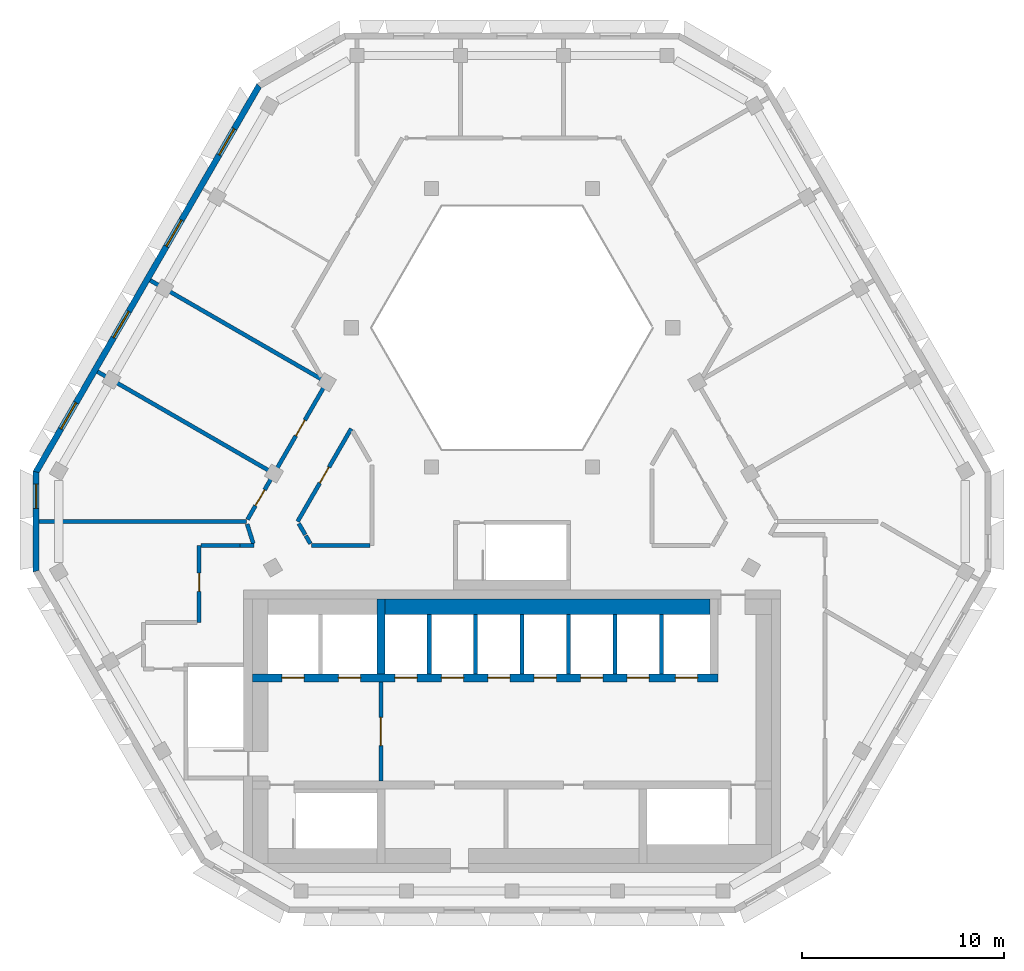
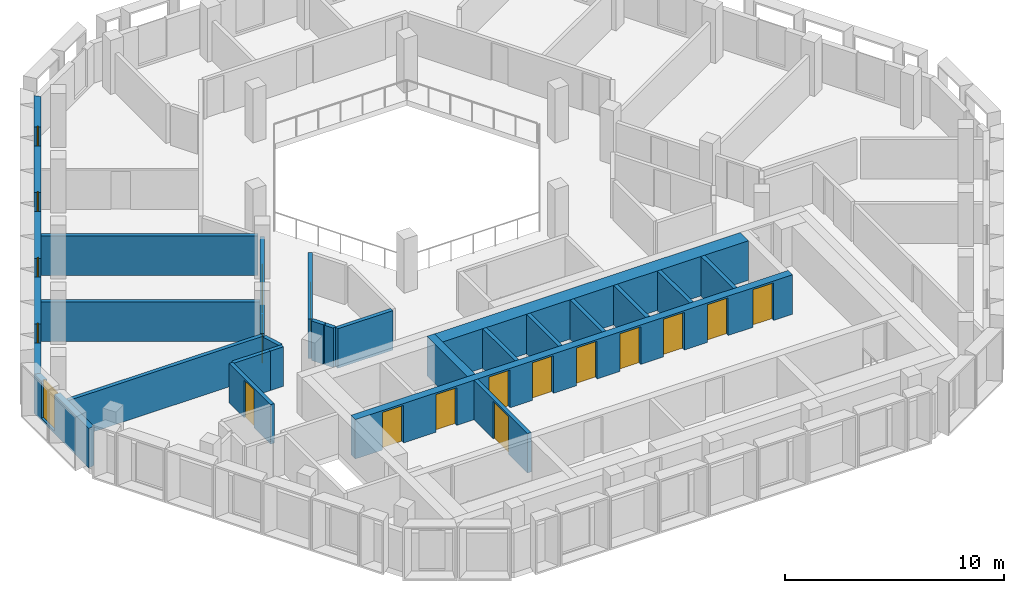
# One storey, part 3 of 7: 24 walls, 14 doors, 5 windows, 19 openings.
"""IFC4 building model written with IfcOpenShell, lengths in metres."""

from ifc_helpers import new_model, si_unit, direction, frame, frame_2d, origin, place, context, subcontext, project, spatial, polyline, rectangle, outline, extrude, material, layer, layer_set, type_object, element, fill, save


model = new_model("IFC4")

# Units and contexts
model_context = context("Model", 3, precision=1e-05, world=origin(), true_north=direction((0.0, 1.0)))
body_context = subcontext(model_context, "Body", "Model", "MODEL_VIEW")
ifc_project = project(units=[si_unit("LENGTHUNIT", "METRE"), si_unit("AREAUNIT", "SQUARE_METRE"), si_unit("VOLUMEUNIT", "CUBIC_METRE"), si_unit("PLANEANGLEUNIT", "RADIAN"), si_unit("MASSUNIT", "GRAM", prefix="KILO")], contexts=[model_context])

# Site, building, storey
site_placement = place(None, origin())
site = spatial("IfcSite", under=ifc_project, at=site_placement, CompositionType="ELEMENT")
building_placement = place(site_placement, origin())
building = spatial("IfcBuilding", under=site, at=building_placement, Name="Beryl Residences", CompositionType="ELEMENT")
storey_placement = place(building_placement, frame((0.0, 0.0, 241.800048828125)))
storey = spatial("IfcBuildingStorey", under=building, at=storey_placement, Name="L75", CompositionType="ELEMENT", Elevation=241.800048828125)

# Wall, openings, windows
ifc_material_1 = material(Name="Composite metal panel with mineral wool insulation")
ifc_layer_1 = layer(ifc_material_1, 0.300048828125)
ifc_layer_set_1 = layer_set([ifc_layer_1], Name="ES1 pale metal composite panel wall 300 mm")
wall_type_1 = type_object("IfcWallType", Name="ES1 pale metal composite panel wall 300 mm", PredefinedType="SOLIDWALL", material=ifc_layer_set_1)
wall_1_placement = place(storey_placement, frame((-12.513916015625, 20.02490234375, 0.0), z_axis=(0.0, 0.0, 1.0), x_axis=(-0.500003656944, -0.866023292436, 0.0)))
wall_1 = element("IfcWall", 1, at=wall_1_placement, inside=storey, type_object=wall_type_1, Name="ES1 external wall L75 NW", PredefinedType="SOLIDWALL", context=body_context, shape_type="SweptSolid", body=[
    extrude(outline(polyline([(0.0, -0.14990234375), (22.170166015625, -0.14990234375), (22.08984375, 0.14990234375), (0.080322265625, 0.14990234375), (0.0, -0.14990234375)])), origin(), (0.0, 0.0, 1.0), 2.199951171875),
])
opening_1_placement = place(wall_1_placement, frame((2.4970703125, 0.0, 0.14990234375)))
opening_1 = element("IfcOpeningElement", 2, at=opening_1_placement, cuts=wall_1, Name="Opening W1", PredefinedType="OPENING", context=body_context, shape_type="SweptSolid", body=[
    extrude(rectangle(XDim=1.5, YDim=2.10009765625, at=frame_2d((0.75, 1.050048828125))), frame((0.0, 0.159912109375, 0.0), z_axis=(0.0, -1.0, 0.0), x_axis=(1.0, 0.0, 0.0)), (0.0, 0.0, 1.0), 0.320068359375),
])
opening_2_placement = place(wall_1_placement, frame((7.721923828125, 0.0, 0.14990234375)))
opening_2 = element("IfcOpeningElement", 3, at=opening_2_placement, cuts=wall_1, Name="Opening W1", PredefinedType="OPENING", context=body_context, shape_type="SweptSolid", body=[
    extrude(rectangle(XDim=1.5, YDim=2.10009765625, at=frame_2d((0.75, 1.050048828125))), frame((0.0, 0.159912109375, 0.0), z_axis=(0.0, -1.0, 0.0), x_axis=(1.0, 0.0, 0.0)), (0.0, 0.0, 1.0), 0.320068359375),
])
opening_3_placement = place(wall_1_placement, frame((12.947998046875, 0.0, 0.14990234375)))
opening_3 = element("IfcOpeningElement", 4, at=opening_3_placement, cuts=wall_1, Name="Opening W1", PredefinedType="OPENING", context=body_context, shape_type="SweptSolid", body=[
    extrude(rectangle(XDim=1.5, YDim=2.10009765625, at=frame_2d((0.75, 1.050048828125))), frame((0.0, 0.159912109375, 0.0), z_axis=(0.0, -1.0, 0.0), x_axis=(1.0, 0.0, 0.0)), (0.0, 0.0, 1.0), 0.320068359375),
])
opening_4_placement = place(wall_1_placement, frame((18.173095703125, 0.0, 0.14990234375)))
opening_4 = element("IfcOpeningElement", 5, at=opening_4_placement, cuts=wall_1, Name="Opening W1", PredefinedType="OPENING", context=body_context, shape_type="SweptSolid", body=[
    extrude(rectangle(XDim=1.5, YDim=2.10009765625, at=frame_2d((0.75, 1.050048828125))), frame((0.0, 0.159912109375, 0.0), z_axis=(0.0, -1.0, 0.0), x_axis=(1.0, 0.0, 0.0)), (0.0, 0.0, 1.0), 0.320068359375),
])
ifc_material_2 = material(Name="Aluminium and clear glass", Category="aluminium")
window_type_1 = type_object("IfcWindowType", Name="W1 cell window 1500 x 2100 mm", PartitioningType="SINGLE_PANEL", PredefinedType="WINDOW", material=ifc_material_2)
window_1_placement = place(opening_1_placement, origin())
window_1 = element("IfcWindow", 6, at=window_1_placement, inside=storey, type_object=window_type_1, Name="W1 window L75 NW 2", OverallHeight=2.10009765625, OverallWidth=1.5, PartitioningType="SINGLE_PANEL", PredefinedType="WINDOW", context=body_context, shape_type="SweptSolid", body=[
    extrude(rectangle(XDim=1.5, YDim=2.10009765625, at=frame_2d((0.75, 1.050048828125))), frame((0.0, 0.030029296875, 0.0), z_axis=(0.0, -1.0, 0.0), x_axis=(1.0, 0.0, 0.0)), (0.0, 0.0, 1.0), 0.06005859375),
])
fill(opening_1, window_1)
window_2_placement = place(opening_2_placement, origin())
window_2 = element("IfcWindow", 7, at=window_2_placement, inside=storey, type_object=window_type_1, Name="W1 window L75 NW 4", OverallHeight=2.10009765625, OverallWidth=1.5, PartitioningType="SINGLE_PANEL", PredefinedType="WINDOW", context=body_context, shape_type="SweptSolid", body=[
    extrude(rectangle(XDim=1.5, YDim=2.10009765625, at=frame_2d((0.75, 1.050048828125))), frame((0.0, 0.030029296875, 0.0), z_axis=(0.0, -1.0, 0.0), x_axis=(1.0, 0.0, 0.0)), (0.0, 0.0, 1.0), 0.06005859375),
])
fill(opening_2, window_2)
window_3_placement = place(opening_3_placement, origin())
window_3 = element("IfcWindow", 8, at=window_3_placement, inside=storey, type_object=window_type_1, Name="W1 window L75 NW 6", OverallHeight=2.10009765625, OverallWidth=1.5, PartitioningType="SINGLE_PANEL", PredefinedType="WINDOW", context=body_context, shape_type="SweptSolid", body=[
    extrude(rectangle(XDim=1.5, YDim=2.10009765625, at=frame_2d((0.75, 1.050048828125))), frame((0.0, 0.030029296875, 0.0), z_axis=(0.0, -1.0, 0.0), x_axis=(1.0, 0.0, 0.0)), (0.0, 0.0, 1.0), 0.06005859375),
])
fill(opening_3, window_3)
window_4_placement = place(opening_4_placement, origin())
window_4 = element("IfcWindow", 9, at=window_4_placement, inside=storey, type_object=window_type_1, Name="W1 window L75 NW 8", OverallHeight=2.10009765625, OverallWidth=1.5, PartitioningType="SINGLE_PANEL", PredefinedType="WINDOW", context=body_context, shape_type="SweptSolid", body=[
    extrude(rectangle(XDim=1.5, YDim=2.10009765625, at=frame_2d((0.75, 1.050048828125))), frame((0.0, 0.030029296875, 0.0), z_axis=(0.0, -1.0, 0.0), x_axis=(1.0, 0.0, 0.0)), (0.0, 0.0, 1.0), 0.06005859375),
])
fill(opening_4, window_4)

# Wall, opening, window
wall_2_placement = place(storey_placement, frame((-23.5791015625, 0.89990234375, 0.0), z_axis=(0.0, 0.0, 1.0), x_axis=(0.0, -1.0, 0.0)))
wall_2 = element("IfcWall", 10, at=wall_2_placement, inside=storey, type_object=wall_type_1, Name="ES1 external wall L75 NW-SW", PredefinedType="SOLIDWALL", context=body_context, shape_type="SweptSolid", body=[
    extrude(outline(polyline([(0.0, -0.14990234375), (5.0, -0.14990234375), (4.919677734375, 0.14990234375), (0.080322265625, 0.14990234375), (0.0, -0.14990234375)])), origin(), (0.0, 0.0, 1.0), 2.199951171875),
])
opening_5_placement = place(wall_2_placement, frame((0.64990234375, 0.0, 0.14990234375)))
opening_5 = element("IfcOpeningElement", 11, at=opening_5_placement, cuts=wall_2, Name="Opening W2", PredefinedType="OPENING", context=body_context, shape_type="SweptSolid", body=[
    extrude(rectangle(XDim=1.199951171875, YDim=2.10009765625, at=frame_2d((0.60009765625, 1.050048828125))), frame((0.0, 0.159912109375, 0.0), z_axis=(0.0, -1.0, 0.0), x_axis=(1.0, 0.0, 0.0)), (0.0, 0.0, 1.0), 0.320068359375),
])
ifc_material_3 = material(Name="Aluminium and clear glass", Category="aluminium")
window_type_2 = type_object("IfcWindowType", Name="W2 chamfer window 1200 x 2100 mm", PartitioningType="SINGLE_PANEL", PredefinedType="WINDOW", material=ifc_material_3)
window_5_placement = place(opening_5_placement, origin())
window_5 = element("IfcWindow", 12, at=window_5_placement, inside=storey, type_object=window_type_2, Name="W2 window L75 NW-SW 1", OverallHeight=2.10009765625, OverallWidth=1.199951171875, PartitioningType="SINGLE_PANEL", PredefinedType="WINDOW", context=body_context, shape_type="SweptSolid", body=[
    extrude(rectangle(XDim=1.199951171875, YDim=2.10009765625, at=frame_2d((0.60009765625, 1.050048828125))), frame((0.0, 0.030029296875, 0.0), z_axis=(0.0, -1.0, 0.0), x_axis=(1.0, 0.0, 0.0)), (0.0, 0.0, 1.0), 0.06005859375),
])
fill(opening_5, window_5)

# Wall, opening, door
ifc_material_4 = material(Name="Concrete masonry", Category="masonry")
ifc_layer_2 = layer(ifc_material_4, 0.199951171875)
ifc_layer_set_2 = layer_set([ifc_layer_2], Name="PT13 lobby wall 200 mm")
wall_type_2 = type_object("IfcWallType", Name="PT13 lobby wall 200 mm", PredefinedType="PARTITIONING", material=ifc_layer_set_2)
wall_3_placement = place(storey_placement, frame((-6.5, -14.449951171875, 0.0), z_axis=(0.0, 0.0, 1.0), x_axis=(0.0, 1.0, 0.0)))
wall_3 = element("IfcWall", 13, at=wall_3_placement, inside=storey, type_object=wall_type_2, Name="Lobby wall 12", PredefinedType="PARTITIONING", context=body_context, shape_type="SweptSolid", body=[
    extrude(rectangle(XDim=4.89990234375, YDim=0.199951171875, at=frame_2d((2.449951171875, 0.0))), origin(), (0.0, 0.0, 1.0), 2.199951171875),
])
opening_6_placement = place(wall_3_placement, frame((3.14990234375, 0.0, 0.0), z_axis=(0.0, 0.0, 1.0), x_axis=(-1.0, 0.0, 0.0)))
opening_6 = element("IfcOpeningElement", 14, at=opening_6_placement, cuts=wall_3, Name="Opening FD-FFL", PredefinedType="OPENING", context=body_context, shape_type="SweptSolid", body=[
    extrude(rectangle(XDim=1.39990234375, YDim=2.10009765625, at=frame_2d((0.699951171875, 1.050048828125))), frame((0.0, 0.10986328125, 0.0), z_axis=(0.0, -1.0, 0.0), x_axis=(1.0, 0.0, 0.0)), (0.0, 0.0, 1.0), 0.219970703125),
])
ifc_material_5 = material(Name="Steel door leaf in steel frame", Category="steel")
door_type_1 = type_object("IfcDoorType", Name="D5 lobby door 1400 x 2100 mm", OperationType="DOUBLE_DOOR_SINGLE_SWING", PredefinedType="DOOR", material=ifc_material_5)
door_1_placement = place(opening_6_placement, origin())
door_1 = element("IfcDoor", 15, at=door_1_placement, inside=storey, type_object=door_type_1, Name="Door FD-FFL L75 001", OperationType="DOUBLE_DOOR_SINGLE_SWING", OverallHeight=2.10009765625, OverallWidth=1.39990234375, PredefinedType="DOOR", context=body_context, shape_type="SweptSolid", body=[
    extrude(rectangle(XDim=1.39990234375, YDim=2.10009765625, at=frame_2d((0.699951171875, 1.050048828125))), frame((0.0, 0.02490234375, 0.0), z_axis=(0.0, -1.0, 0.0), x_axis=(1.0, 0.0, 0.0)), (0.0, 0.0, 1.0), 0.050048828125),
])
fill(opening_6, door_1)

# Walls
ifc_material_6 = material(Name="Acoustic double stud gypsum board wall")
ifc_layer_3 = layer(ifc_material_6, 0.199951171875)
ifc_layer_set_3 = layer_set([ifc_layer_3], Name="PT3 party wall 200 mm acoustic double stud")
wall_type_3 = type_object("IfcWallType", Name="PT3 party wall 200 mm acoustic double stud", PredefinedType="PARTITIONING", material=ifc_layer_set_3)
wall_4_placement = place(storey_placement, frame((-20.5390625, 5.824951171875, 0.0), z_axis=(0.0, 0.0, 1.0), x_axis=(0.866089650643, -0.499888704662, 0.0)))
element("IfcWall", 16, at=wall_4_placement, inside=storey, type_object=wall_type_3, Name="Wall PT3 L75 002", PredefinedType="PARTITIONING", context=body_context, shape_type="SweptSolid", body=[
    extrude(rectangle(XDim=10.000244140625, YDim=0.199951171875, at=frame_2d((5.0, 0.0))), origin(), (0.0, 0.0, 1.0), 2.199951171875),
])
wall_5_placement = place(storey_placement, frame((-17.926025390625, 10.35009765625, 0.0), z_axis=(0.0, 0.0, 1.0), x_axis=(0.866018411306, -0.500012111133, 0.0)))
element("IfcWall", 17, at=wall_5_placement, inside=storey, type_object=wall_type_3, Name="Wall PT3 L75 003", PredefinedType="PARTITIONING", context=body_context, shape_type="SweptSolid", body=[
    extrude(rectangle(XDim=9.898193359375, YDim=0.199951171875, at=frame_2d((4.94921875, 0.0))), origin(), (0.0, 0.0, 1.0), 2.199951171875),
])
wall_6_placement = place(storey_placement, frame((-23.428955078125, -1.60107421875, 0.0), z_axis=(0.0, 0.0, 1.0), x_axis=(0.999999995475, 9.5127113e-05, 0.0)))
element("IfcWall", 18, at=wall_6_placement, inside=storey, type_object=wall_type_3, Name="Wall PT3 L75 006", PredefinedType="PARTITIONING", context=body_context, shape_type="SweptSolid", body=[
    extrude(rectangle(XDim=10.265869140625, YDim=0.199951171875, at=frame_2d((5.1328125, 0.0))), origin(), (0.0, 0.0, 1.0), 2.199951171875),
])
ifc_material_7 = material(Name="Double stud gypsum board wall")
ifc_layer_4 = layer(ifc_material_7, 0.199951171875)
ifc_layer_set_4 = layer_set([ifc_layer_4], Name="PT4 corridor wall 200 mm double stud")
wall_type_4 = type_object("IfcWallType", Name="PT4 corridor wall 200 mm double stud", PredefinedType="PARTITIONING", material=ifc_layer_set_4)
wall_7_placement = place(storey_placement, frame((-10.56494140625, -1.700927734375, 0.0), z_axis=(0.0, 0.0, 1.0), x_axis=(0.499512735409, -0.866306543416, 0.0)))
element("IfcWall", 19, at=wall_7_placement, inside=storey, type_object=wall_type_4, Name="Wall PT4 L75 003", PredefinedType="PARTITIONING", context=body_context, shape_type="SweptSolid", body=[
    extrude(rectangle(XDim=0.638427734375, YDim=0.199951171875, at=frame_2d((0.3193359375, 0.0))), origin(), (0.0, 0.0, 1.0), 2.199951171875),
])
wall_8_placement = place(storey_placement, frame((-10.217041015625, -2.303955078125, 0.0), z_axis=(0.0, 0.0, 1.0), x_axis=(0.499013081552, -0.866594452117, 0.0)))
element("IfcWall", 20, at=wall_8_placement, inside=storey, type_object=wall_type_4, Name="Wall PT4 L75 004", PredefinedType="PARTITIONING", context=body_context, shape_type="SweptSolid", body=[
    extrude(rectangle(XDim=0.45703125, YDim=0.199951171875, at=frame_2d((0.228515625, 0.0))), origin(), (0.0, 0.0, 1.0), 2.199951171875),
])
wall_9_placement = place(storey_placement, frame((-13.123046875, -1.72998046875, 0.0), z_axis=(0.0, 0.0, 1.0), x_axis=(0.300728027646, -0.953709941957, 0.0)))
element("IfcWall", 21, at=wall_9_placement, inside=storey, type_object=wall_type_4, Name="Wall PT4 L75 005", PredefinedType="PARTITIONING", context=body_context, shape_type="SweptSolid", body=[
    extrude(rectangle(XDim=1.013916015625, YDim=0.199951171875, at=frame_2d((0.5068359375, 0.0))), origin(), (0.0, 0.0, 1.0), 2.199951171875),
])
wall_10_placement = place(storey_placement, frame((-13.471923828125, -2.798095703125, 0.0), z_axis=(0.0, 0.0, 1.0), x_axis=(1.0, 0.0, 0.0)))
element("IfcWall", 22, at=wall_10_placement, inside=storey, type_object=wall_type_4, Name="Wall PT4 L75 014", PredefinedType="PARTITIONING", context=body_context, shape_type="SweptSolid", body=[
    extrude(rectangle(XDim=0.684814453125, YDim=0.199951171875, at=frame_2d((0.34228515625, 0.0))), origin(), (0.0, 0.0, 1.0), 2.199951171875),
])
wall_11_placement = place(storey_placement, frame((-15.39892578125, -2.800048828125, 0.0), z_axis=(0.0, 0.0, 1.0), x_axis=(1.0, 0.0, 0.0)))
element("IfcWall", 23, at=wall_11_placement, inside=storey, type_object=wall_type_4, Name="Wall PT4 L75 016", PredefinedType="PARTITIONING", context=body_context, shape_type="SweptSolid", body=[
    extrude(rectangle(XDim=1.9248046875, YDim=0.199951171875, at=frame_2d((0.96240234375, 0.0))), origin(), (0.0, 0.0, 1.0), 2.199951171875),
])
wall_12_placement = place(storey_placement, frame((-9.929931640625, -2.800048828125, 0.0), z_axis=(0.0, 0.0, 1.0), x_axis=(1.0, 0.0, 0.0)))
element("IfcWall", 24, at=wall_12_placement, inside=storey, type_object=wall_type_4, Name="Wall PT4 L75 017", PredefinedType="PARTITIONING", context=body_context, shape_type="SweptSolid", body=[
    extrude(rectangle(XDim=2.90087890625, YDim=0.199951171875, at=frame_2d((1.450439453125, 0.0))), origin(), (0.0, 0.0, 1.0), 2.199951171875),
])

# Wall, opening, door
wall_13_placement = place(storey_placement, frame((-10.623046875, -1.60009765625, 0.0), z_axis=(0.0, 0.0, 1.0), x_axis=(0.500040865889, 0.866001808567, 0.0)))
wall_13 = element("IfcWall", 25, at=wall_13_placement, inside=storey, type_object=wall_type_4, Name="Wall PT4 L75 025", PredefinedType="PARTITIONING", context=body_context, shape_type="SweptSolid", body=[
    extrude(rectangle(XDim=5.3095703125, YDim=0.199951171875, at=frame_2d((2.65478515625, 0.0))), origin(), (0.0, 0.0, 1.0), 2.199951171875),
])
opening_7_placement = place(wall_13_placement, frame((2.205078125, 0.0, 0.0)))
opening_7 = element("IfcOpeningElement", 26, at=opening_7_placement, cuts=wall_13, Name="Opening D2316", PredefinedType="OPENING", context=body_context, shape_type="SweptSolid", body=[
    extrude(rectangle(XDim=0.89990234375, YDim=2.10009765625, at=frame_2d((0.449951171875, 1.050048828125))), frame((0.0, 0.10986328125, 0.0), z_axis=(0.0, -1.0, 0.0), x_axis=(1.0, 0.0, 0.0)), (0.0, 0.0, 1.0), 0.219970703125),
])
ifc_material_8 = material(Name="Timber door leaf", Category="wood")
door_type_2 = type_object("IfcDoorType", Name="D2 room door 900 x 2100 mm", OperationType="SINGLE_SWING_LEFT", PredefinedType="DOOR", material=ifc_material_8)
door_2_placement = place(opening_7_placement, origin())
door_2 = element("IfcDoor", 27, at=door_2_placement, inside=storey, type_object=door_type_2, Name="Door D2316 L75 001", OperationType="SINGLE_SWING_RIGHT", OverallHeight=2.10009765625, OverallWidth=0.89990234375, PredefinedType="DOOR", context=body_context, shape_type="SweptSolid", body=[
    extrude(rectangle(XDim=0.89990234375, YDim=2.10009765625, at=frame_2d((0.449951171875, 1.050048828125))), frame((0.0, 0.02490234375, 0.0), z_axis=(0.0, -1.0, 0.0), x_axis=(1.0, 0.0, 0.0)), (0.0, 0.0, 1.0), 0.050048828125),
])
fill(opening_7, door_2)

# Wall, openings, doors
wall_14_placement = place(storey_placement, frame((-13.10595703125, -1.5, 0.0), z_axis=(0.0, 0.0, 1.0), x_axis=(0.500025705601, 0.86601056214, 0.0)))
wall_14 = element("IfcWall", 28, at=wall_14_placement, inside=storey, type_object=wall_type_4, Name="Wall PT4 L75 026", PredefinedType="PARTITIONING", context=body_context, shape_type="SweptSolid", body=[
    extrude(rectangle(XDim=7.7353515625, YDim=0.199951171875, at=frame_2d((3.86767578125, 0.0))), origin(), (0.0, 0.0, 1.0), 2.199951171875),
])
opening_8_placement = place(wall_14_placement, frame((4.7900390625, 0.0, 0.0)))
opening_8 = element("IfcOpeningElement", 29, at=opening_8_placement, cuts=wall_14, Name="Opening D2304", PredefinedType="OPENING", context=body_context, shape_type="SweptSolid", body=[
    extrude(rectangle(XDim=0.89990234375, YDim=2.10009765625, at=frame_2d((0.449951171875, 1.050048828125))), frame((0.0, 0.10986328125, 0.0), z_axis=(0.0, -1.0, 0.0), x_axis=(1.0, 0.0, 0.0)), (0.0, 0.0, 1.0), 0.219970703125),
])
opening_9_placement = place(wall_14_placement, frame((0.791015625, 0.0, 0.0)))
opening_9 = element("IfcOpeningElement", 30, at=opening_9_placement, cuts=wall_14, Name="Opening D2305", PredefinedType="OPENING", context=body_context, shape_type="SweptSolid", body=[
    extrude(rectangle(XDim=0.89990234375, YDim=2.10009765625, at=frame_2d((0.449951171875, 1.050048828125))), frame((0.0, 0.10986328125, 0.0), z_axis=(0.0, -1.0, 0.0), x_axis=(1.0, 0.0, 0.0)), (0.0, 0.0, 1.0), 0.219970703125),
])
door_3_placement = place(opening_8_placement, origin())
door_3 = element("IfcDoor", 31, at=door_3_placement, inside=storey, type_object=door_type_2, Name="Door D2304 L75 001", OperationType="SINGLE_SWING_RIGHT", OverallHeight=2.10009765625, OverallWidth=0.89990234375, PredefinedType="DOOR", context=body_context, shape_type="SweptSolid", body=[
    extrude(rectangle(XDim=0.89990234375, YDim=2.10009765625, at=frame_2d((0.449951171875, 1.050048828125))), frame((0.0, 0.02490234375, 0.0), z_axis=(0.0, -1.0, 0.0), x_axis=(1.0, 0.0, 0.0)), (0.0, 0.0, 1.0), 0.050048828125),
])
fill(opening_8, door_3)
door_4_placement = place(opening_9_placement, origin())
door_4 = element("IfcDoor", 32, at=door_4_placement, inside=storey, type_object=door_type_2, Name="Door D2305 L75 001", OperationType="SINGLE_SWING_LEFT", OverallHeight=2.10009765625, OverallWidth=0.89990234375, PredefinedType="DOOR", context=body_context, shape_type="SweptSolid", body=[
    extrude(rectangle(XDim=0.89990234375, YDim=2.10009765625, at=frame_2d((0.449951171875, 1.050048828125))), frame((0.0, 0.02490234375, 0.0), z_axis=(0.0, -1.0, 0.0), x_axis=(1.0, 0.0, 0.0)), (0.0, 0.0, 1.0), 0.050048828125),
])
fill(opening_9, door_4)

# Wall, opening, door
wall_15_placement = place(storey_placement, frame((-15.5, -6.59912109375, 0.0), z_axis=(0.0, 0.0, 1.0), x_axis=(0.0, 1.0, 0.0)))
wall_15 = element("IfcWall", 33, at=wall_15_placement, inside=storey, type_object=wall_type_4, Name="Wall PT4 L75 030", PredefinedType="PARTITIONING", context=body_context, shape_type="SweptSolid", body=[
    extrude(rectangle(XDim=3.798095703125, YDim=0.199951171875, at=frame_2d((1.89892578125, 0.0))), origin(), (0.0, 0.0, 1.0), 2.199951171875),
])
opening_10_placement = place(wall_15_placement, frame((1.541015625, 0.0, 0.0)))
opening_10 = element("IfcOpeningElement", 34, at=opening_10_placement, cuts=wall_15, Name="Opening D2306", PredefinedType="OPENING", context=body_context, shape_type="SweptSolid", body=[
    extrude(rectangle(XDim=0.89990234375, YDim=2.10009765625, at=frame_2d((0.449951171875, 1.050048828125))), frame((0.0, 0.10986328125, 0.0), z_axis=(0.0, -1.0, 0.0), x_axis=(1.0, 0.0, 0.0)), (0.0, 0.0, 1.0), 0.219970703125),
])
door_5_placement = place(opening_10_placement, origin())
door_5 = element("IfcDoor", 35, at=door_5_placement, inside=storey, type_object=door_type_2, Name="Door D2306 L75 001", OperationType="SINGLE_SWING_RIGHT", OverallHeight=2.10009765625, OverallWidth=0.89990234375, PredefinedType="DOOR", context=body_context, shape_type="SweptSolid", body=[
    extrude(rectangle(XDim=0.89990234375, YDim=2.10009765625, at=frame_2d((0.449951171875, 1.050048828125))), frame((0.0, 0.02490234375, 0.0), z_axis=(0.0, -1.0, 0.0), x_axis=(1.0, 0.0, 0.0)), (0.0, 0.0, 1.0), 0.050048828125),
])
fill(opening_10, door_5)

# Walls
ifc_material_9 = material(Name="Concrete C40/50", Category="concrete")
ifc_layer_5 = layer(ifc_material_9, 0.199951171875)
ifc_layer_set_5 = layer_set([ifc_layer_5], Name="PT6 lift shaft wall 200 mm reinforced concrete C40/50")
wall_type_5 = type_object("IfcWallType", Name="PT6 lift shaft wall 200 mm reinforced concrete C40/50", PredefinedType="SOLIDWALL", material=ifc_layer_set_5)
for number, where, z_axis, x_axis, name in (
    (36, (-4.10009765625, -9.14990234375, 0.0), (0.0, 0.0, 1.0), (0.0, 1.0, 0.0), "Lift shaft wall 15"),
    (37, (-1.800048828125, -9.14990234375, 0.0), (0.0, 0.0, 1.0), (0.0, 1.0, 0.0), "Lift shaft wall 17"),
    (38, (0.5, -9.14990234375, 0.0), (0.0, 0.0, 1.0), (0.0, 1.0, 0.0), "Lift shaft wall 19"),
    (39, (2.800048828125, -9.14990234375, 0.0), (0.0, 0.0, 1.0), (0.0, 1.0, 0.0), "Lift shaft wall 20"),
    (40, (5.10009765625, -9.14990234375, 0.0), (0.0, 0.0, 1.0), (0.0, 1.0, 0.0), "Lift shaft wall 21"),
    (41, (7.39990234375, -9.14990234375, 0.0), (0.0, 0.0, 1.0), (0.0, 1.0, 0.0), "Lift shaft wall 23"),
):
    element("IfcWall", number, at=place(storey_placement, frame(where, z_axis=z_axis, x_axis=x_axis)), inside=storey, type_object=wall_type_5, Name=name, PredefinedType="SOLIDWALL", context=body_context, shape_type="SweptSolid", body=[
        extrude(rectangle(XDim=2.949951171875, YDim=0.199951171875, at=frame_2d((1.47509765625, 0.0))), origin(), (0.0, 0.0, 1.0), 2.199951171875),
    ])
ifc_material_10 = material(Name="Concrete C40/50", Category="concrete")
ifc_layer_6 = layer(ifc_material_10, 0.75)
ifc_layer_set_6 = layer_set([ifc_layer_6], Name="PT6-750 lift shaft wall 750 mm")
wall_type_6 = type_object("IfcWallType", Name="PT6-750 lift shaft wall 750 mm", PredefinedType="SOLIDWALL", material=ifc_layer_set_6)
wall_16_placement = place(storey_placement, frame((-6.300048828125, -5.824951171875, 0.0), z_axis=(0.0, 0.0, 1.0), x_axis=(1.0, 0.0, 0.0)))
element("IfcWall", 42, at=wall_16_placement, inside=storey, type_object=wall_type_6, Name="Lift shaft wall 14", PredefinedType="SOLIDWALL", context=body_context, shape_type="SweptSolid", body=[
    extrude(rectangle(XDim=16.10009765625, YDim=0.75, at=frame_2d((8.050048828125, 0.0))), origin(), (0.0, 0.0, 1.0), 2.199951171875),
])

# Wall, openings, doors
ifc_material_11 = material(Name="Concrete C50/60", Category="concrete")
ifc_layer_7 = layer(ifc_material_11, 0.39990234375)
ifc_layer_set_7 = layer_set([ifc_layer_7], Name="SW10 core internal wall 400 mm C50/60")
wall_type_7 = type_object("IfcWallType", Name="SW10 core internal wall 400 mm C50/60", PredefinedType="SHEAR", material=ifc_layer_set_7)
wall_17_placement = place(storey_placement, frame((-12.85009765625, -9.35009765625, 0.0), z_axis=(0.0, 0.0, 1.0), x_axis=(1.0, 0.0, 0.0)))
wall_17 = element("IfcWall", 43, at=wall_17_placement, inside=storey, type_object=wall_type_7, Name="Core wall SP2 L75", PredefinedType="SHEAR", context=body_context, shape_type="SweptSolid", body=[
    extrude(rectangle(XDim=23.050048828125, YDim=0.39990234375, at=frame_2d((11.52490234375, 0.0))), origin(), (0.0, 0.0, 1.0), 2.199951171875),
])
opening_11_placement = place(wall_17_placement, frame((1.449951171875, 0.0, 0.0)))
opening_11 = element("IfcOpeningElement", 44, at=opening_11_placement, cuts=wall_17, Name="Opening LD-FF1", PredefinedType="OPENING", context=body_context, shape_type="SweptSolid", body=[
    extrude(rectangle(XDim=1.10009765625, YDim=2.10009765625, at=frame_2d((0.550048828125, 1.050048828125))), frame((0.0, 0.2099609375, 0.0), z_axis=(0.0, -1.0, 0.0), x_axis=(1.0, 0.0, 0.0)), (0.0, 0.0, 1.0), 0.419921875),
])
opening_12_placement = place(wall_17_placement, frame((4.25, 0.0, 0.0)))
opening_12 = element("IfcOpeningElement", 45, at=opening_12_placement, cuts=wall_17, Name="Opening LD-FF2", PredefinedType="OPENING", context=body_context, shape_type="SweptSolid", body=[
    extrude(rectangle(XDim=1.10009765625, YDim=2.10009765625, at=frame_2d((0.550048828125, 1.050048828125))), frame((0.0, 0.2099609375, 0.0), z_axis=(0.0, -1.0, 0.0), x_axis=(1.0, 0.0, 0.0)), (0.0, 0.0, 1.0), 0.419921875),
])
opening_13_placement = place(wall_17_placement, frame((7.050048828125, 0.0, 0.0)))
opening_13 = element("IfcOpeningElement", 46, at=opening_13_placement, cuts=wall_17, Name="Opening LD-HR1", PredefinedType="OPENING", context=body_context, shape_type="SweptSolid", body=[
    extrude(rectangle(XDim=1.10009765625, YDim=2.10009765625, at=frame_2d((0.550048828125, 1.050048828125))), frame((0.0, 0.2099609375, 0.0), z_axis=(0.0, -1.0, 0.0), x_axis=(1.0, 0.0, 0.0)), (0.0, 0.0, 1.0), 0.419921875),
])
opening_14_placement = place(wall_17_placement, frame((9.35009765625, 0.0, 0.0)))
opening_14 = element("IfcOpeningElement", 47, at=opening_14_placement, cuts=wall_17, Name="Opening LD-HR2", PredefinedType="OPENING", context=body_context, shape_type="SweptSolid", body=[
    extrude(rectangle(XDim=1.10009765625, YDim=2.10009765625, at=frame_2d((0.550048828125, 1.050048828125))), frame((0.0, 0.2099609375, 0.0), z_axis=(0.0, -1.0, 0.0), x_axis=(1.0, 0.0, 0.0)), (0.0, 0.0, 1.0), 0.419921875),
])
opening_15_placement = place(wall_17_placement, frame((11.64990234375, 0.0, 0.0)))
opening_15 = element("IfcOpeningElement", 48, at=opening_15_placement, cuts=wall_17, Name="Opening LD-HR3", PredefinedType="OPENING", context=body_context, shape_type="SweptSolid", body=[
    extrude(rectangle(XDim=1.10009765625, YDim=2.10009765625, at=frame_2d((0.550048828125, 1.050048828125))), frame((0.0, 0.2099609375, 0.0), z_axis=(0.0, -1.0, 0.0), x_axis=(1.0, 0.0, 0.0)), (0.0, 0.0, 1.0), 0.419921875),
])
opening_16_placement = place(wall_17_placement, frame((13.949951171875, 0.0, 0.0)))
opening_16 = element("IfcOpeningElement", 49, at=opening_16_placement, cuts=wall_17, Name="Opening LD-HR4", PredefinedType="OPENING", context=body_context, shape_type="SweptSolid", body=[
    extrude(rectangle(XDim=1.10009765625, YDim=2.10009765625, at=frame_2d((0.550048828125, 1.050048828125))), frame((0.0, 0.2099609375, 0.0), z_axis=(0.0, -1.0, 0.0), x_axis=(1.0, 0.0, 0.0)), (0.0, 0.0, 1.0), 0.419921875),
])
opening_17_placement = place(wall_17_placement, frame((16.25, 0.0, 0.0)))
opening_17 = element("IfcOpeningElement", 50, at=opening_17_placement, cuts=wall_17, Name="Opening LD-HR5", PredefinedType="OPENING", context=body_context, shape_type="SweptSolid", body=[
    extrude(rectangle(XDim=1.10009765625, YDim=2.10009765625, at=frame_2d((0.550048828125, 1.050048828125))), frame((0.0, 0.2099609375, 0.0), z_axis=(0.0, -1.0, 0.0), x_axis=(1.0, 0.0, 0.0)), (0.0, 0.0, 1.0), 0.419921875),
])
opening_18_placement = place(wall_17_placement, frame((18.550048828125, 0.0, 0.0)))
opening_18 = element("IfcOpeningElement", 51, at=opening_18_placement, cuts=wall_17, Name="Opening LD-HR6", PredefinedType="OPENING", context=body_context, shape_type="SweptSolid", body=[
    extrude(rectangle(XDim=1.10009765625, YDim=2.10009765625, at=frame_2d((0.550048828125, 1.050048828125))), frame((0.0, 0.2099609375, 0.0), z_axis=(0.0, -1.0, 0.0), x_axis=(1.0, 0.0, 0.0)), (0.0, 0.0, 1.0), 0.419921875),
])
opening_19_placement = place(wall_17_placement, frame((20.949951171875, 0.0, 0.0)))
opening_19 = element("IfcOpeningElement", 52, at=opening_19_placement, cuts=wall_17, Name="Opening LD-SL1", PredefinedType="OPENING", context=body_context, shape_type="SweptSolid", body=[
    extrude(rectangle(XDim=1.10009765625, YDim=2.10009765625, at=frame_2d((0.550048828125, 1.050048828125))), frame((0.0, 0.2099609375, 0.0), z_axis=(0.0, -1.0, 0.0), x_axis=(1.0, 0.0, 0.0)), (0.0, 0.0, 1.0), 0.419921875),
])
ifc_material_12 = material(Name="Stainless steel sliding door", Category="steel")
door_type_3 = type_object("IfcDoorType", Name="LD1 lift landing door 1100 x 2100 mm", OperationType="DOUBLE_DOOR_SLIDING", PredefinedType="DOOR", material=ifc_material_12)
door_6_placement = place(opening_11_placement, origin())
door_6 = element("IfcDoor", 53, at=door_6_placement, inside=storey, type_object=door_type_3, Name="Lift landing door FF1", OperationType="DOUBLE_DOOR_SLIDING", OverallHeight=2.10009765625, OverallWidth=1.10009765625, PredefinedType="DOOR", context=body_context, shape_type="SweptSolid", body=[
    extrude(rectangle(XDim=1.10009765625, YDim=2.10009765625, at=frame_2d((0.550048828125, 1.050048828125))), frame((0.0, 0.02490234375, 0.0), z_axis=(0.0, -1.0, 0.0), x_axis=(1.0, 0.0, 0.0)), (0.0, 0.0, 1.0), 0.050048828125),
])
fill(opening_11, door_6)
door_7_placement = place(opening_12_placement, origin())
door_7 = element("IfcDoor", 54, at=door_7_placement, inside=storey, type_object=door_type_3, Name="Lift landing door FF2", OperationType="DOUBLE_DOOR_SLIDING", OverallHeight=2.10009765625, OverallWidth=1.10009765625, PredefinedType="DOOR", context=body_context, shape_type="SweptSolid", body=[
    extrude(rectangle(XDim=1.10009765625, YDim=2.10009765625, at=frame_2d((0.550048828125, 1.050048828125))), frame((0.0, 0.02490234375, 0.0), z_axis=(0.0, -1.0, 0.0), x_axis=(1.0, 0.0, 0.0)), (0.0, 0.0, 1.0), 0.050048828125),
])
fill(opening_12, door_7)
door_8_placement = place(opening_13_placement, origin())
door_8 = element("IfcDoor", 55, at=door_8_placement, inside=storey, type_object=door_type_3, Name="Lift landing door HR1", OperationType="DOUBLE_DOOR_SLIDING", OverallHeight=2.10009765625, OverallWidth=1.10009765625, PredefinedType="DOOR", context=body_context, shape_type="SweptSolid", body=[
    extrude(rectangle(XDim=1.10009765625, YDim=2.10009765625, at=frame_2d((0.550048828125, 1.050048828125))), frame((0.0, 0.02490234375, 0.0), z_axis=(0.0, -1.0, 0.0), x_axis=(1.0, 0.0, 0.0)), (0.0, 0.0, 1.0), 0.050048828125),
])
fill(opening_13, door_8)
door_9_placement = place(opening_14_placement, origin())
door_9 = element("IfcDoor", 56, at=door_9_placement, inside=storey, type_object=door_type_3, Name="Lift landing door HR2", OperationType="DOUBLE_DOOR_SLIDING", OverallHeight=2.10009765625, OverallWidth=1.10009765625, PredefinedType="DOOR", context=body_context, shape_type="SweptSolid", body=[
    extrude(rectangle(XDim=1.10009765625, YDim=2.10009765625, at=frame_2d((0.550048828125, 1.050048828125))), frame((0.0, 0.02490234375, 0.0), z_axis=(0.0, -1.0, 0.0), x_axis=(1.0, 0.0, 0.0)), (0.0, 0.0, 1.0), 0.050048828125),
])
fill(opening_14, door_9)
door_10_placement = place(opening_15_placement, origin())
door_10 = element("IfcDoor", 57, at=door_10_placement, inside=storey, type_object=door_type_3, Name="Lift landing door HR3", OperationType="DOUBLE_DOOR_SLIDING", OverallHeight=2.10009765625, OverallWidth=1.10009765625, PredefinedType="DOOR", context=body_context, shape_type="SweptSolid", body=[
    extrude(rectangle(XDim=1.10009765625, YDim=2.10009765625, at=frame_2d((0.550048828125, 1.050048828125))), frame((0.0, 0.02490234375, 0.0), z_axis=(0.0, -1.0, 0.0), x_axis=(1.0, 0.0, 0.0)), (0.0, 0.0, 1.0), 0.050048828125),
])
fill(opening_15, door_10)
door_11_placement = place(opening_16_placement, origin())
door_11 = element("IfcDoor", 58, at=door_11_placement, inside=storey, type_object=door_type_3, Name="Lift landing door HR4", OperationType="DOUBLE_DOOR_SLIDING", OverallHeight=2.10009765625, OverallWidth=1.10009765625, PredefinedType="DOOR", context=body_context, shape_type="SweptSolid", body=[
    extrude(rectangle(XDim=1.10009765625, YDim=2.10009765625, at=frame_2d((0.550048828125, 1.050048828125))), frame((0.0, 0.02490234375, 0.0), z_axis=(0.0, -1.0, 0.0), x_axis=(1.0, 0.0, 0.0)), (0.0, 0.0, 1.0), 0.050048828125),
])
fill(opening_16, door_11)
door_12_placement = place(opening_17_placement, origin())
door_12 = element("IfcDoor", 59, at=door_12_placement, inside=storey, type_object=door_type_3, Name="Lift landing door HR5", OperationType="DOUBLE_DOOR_SLIDING", OverallHeight=2.10009765625, OverallWidth=1.10009765625, PredefinedType="DOOR", context=body_context, shape_type="SweptSolid", body=[
    extrude(rectangle(XDim=1.10009765625, YDim=2.10009765625, at=frame_2d((0.550048828125, 1.050048828125))), frame((0.0, 0.02490234375, 0.0), z_axis=(0.0, -1.0, 0.0), x_axis=(1.0, 0.0, 0.0)), (0.0, 0.0, 1.0), 0.050048828125),
])
fill(opening_17, door_12)
door_13_placement = place(opening_18_placement, origin())
door_13 = element("IfcDoor", 60, at=door_13_placement, inside=storey, type_object=door_type_3, Name="Lift landing door HR6", OperationType="DOUBLE_DOOR_SLIDING", OverallHeight=2.10009765625, OverallWidth=1.10009765625, PredefinedType="DOOR", context=body_context, shape_type="SweptSolid", body=[
    extrude(rectangle(XDim=1.10009765625, YDim=2.10009765625, at=frame_2d((0.550048828125, 1.050048828125))), frame((0.0, 0.02490234375, 0.0), z_axis=(0.0, -1.0, 0.0), x_axis=(1.0, 0.0, 0.0)), (0.0, 0.0, 1.0), 0.050048828125),
])
fill(opening_18, door_13)
door_14_placement = place(opening_19_placement, origin())
door_14 = element("IfcDoor", 61, at=door_14_placement, inside=storey, type_object=door_type_3, Name="Lift landing door SL1", OperationType="DOUBLE_DOOR_SLIDING", OverallHeight=2.10009765625, OverallWidth=1.10009765625, PredefinedType="DOOR", context=body_context, shape_type="SweptSolid", body=[
    extrude(rectangle(XDim=1.10009765625, YDim=2.10009765625, at=frame_2d((0.550048828125, 1.050048828125))), frame((0.0, 0.02490234375, 0.0), z_axis=(0.0, -1.0, 0.0), x_axis=(1.0, 0.0, 0.0)), (0.0, 0.0, 1.0), 0.050048828125),
])
fill(opening_19, door_14)

# Wall
wall_18_placement = place(storey_placement, frame((-6.5, -9.14990234375, 0.0), z_axis=(0.0, 0.0, 1.0), x_axis=(0.0, 1.0, 0.0)))
element("IfcWall", 62, at=wall_18_placement, inside=storey, type_object=wall_type_7, Name="Core wall XN1 L75", PredefinedType="SHEAR", context=body_context, shape_type="SweptSolid", body=[
    extrude(rectangle(XDim=3.699951171875, YDim=0.39990234375, at=frame_2d((1.85009765625, 0.0))), origin(), (0.0, 0.0, 1.0), 2.199951171875),
])

save(model, "model.ifc")
